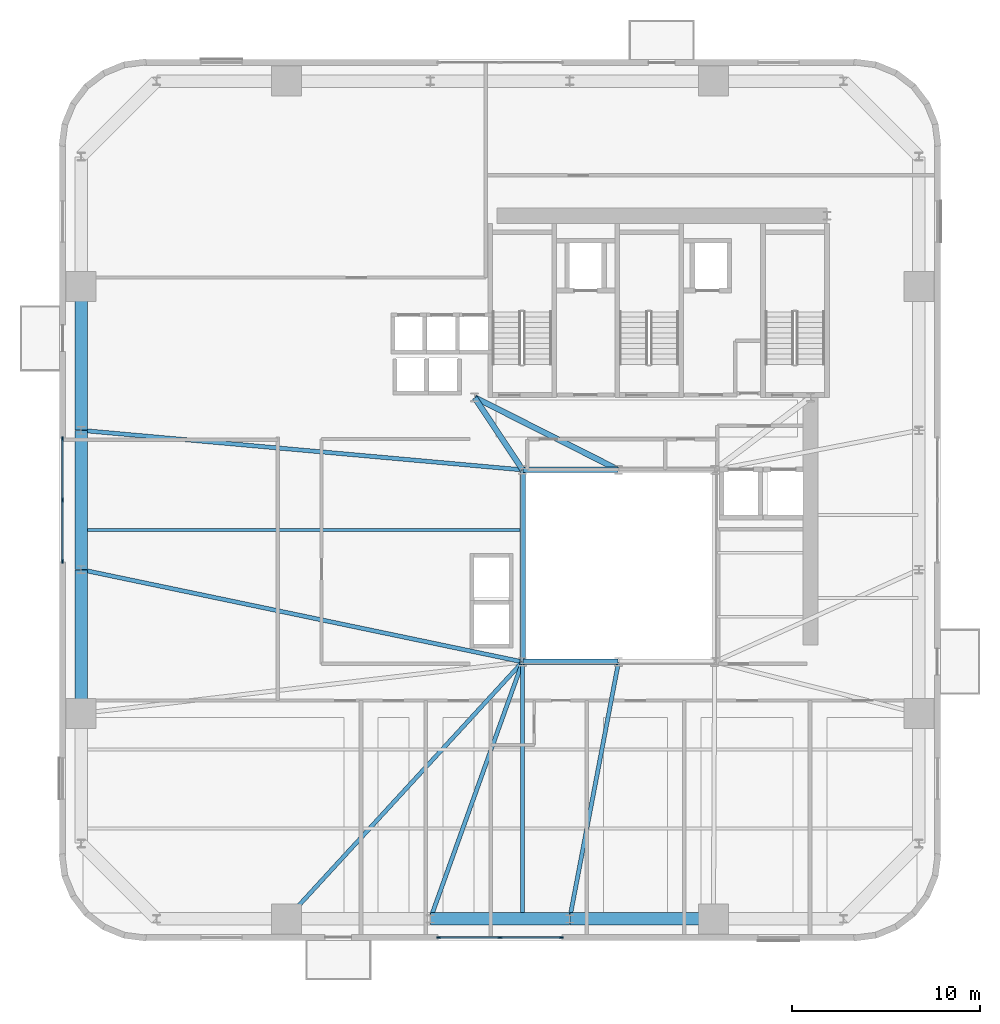
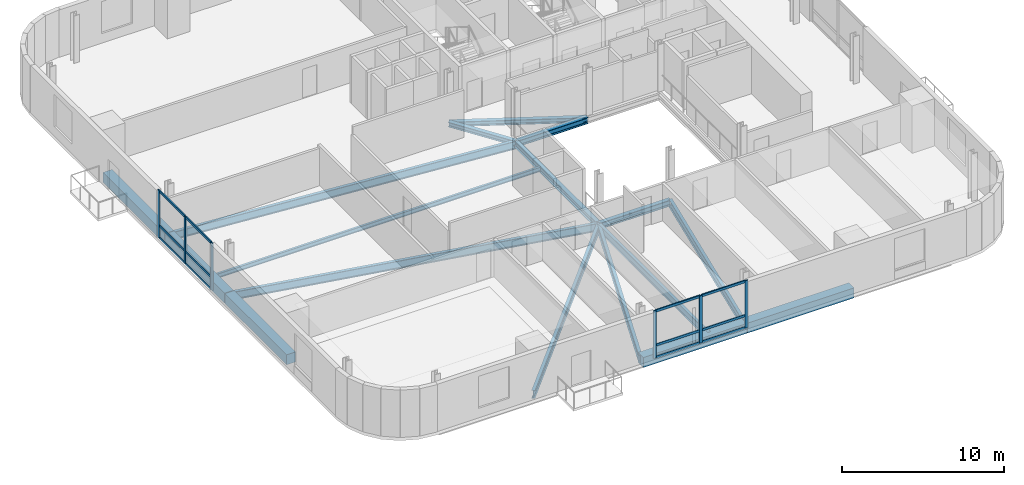
# One storey, part 2 of 14: 18 members, 17 beams, 2 elements without a shape of their own.
"""IFC4 building model written with IfcOpenShell, lengths in metres."""

from ifc_helpers import new_model, si_unit, direction, frame, origin, origin_2d, place, context, subcontext, project, spatial, rectangle, i_section, extrude, source, transform, mapped, material, material_profile, profile_set, type_object, element, aggregate, save


model = new_model("IFC4")

# Units and contexts
model_context = context("Model", 3, precision=1e-05, world=origin(), true_north=direction((0.0, 1.0)))
body_context = subcontext(model_context, "Body", "Model", "MODEL_VIEW")
ifc_project = project(units=[si_unit("LENGTHUNIT", "METRE"), si_unit("AREAUNIT", "SQUARE_METRE"), si_unit("VOLUMEUNIT", "CUBIC_METRE"), si_unit("PLANEANGLEUNIT", "RADIAN"), si_unit("MASSUNIT", "GRAM", prefix="KILO")], contexts=[model_context])

# Site, building, storey
site_placement = place(None, origin())
site = spatial("IfcSite", under=ifc_project, at=site_placement, CompositionType="ELEMENT")
building_placement = place(site_placement, origin())
building = spatial("IfcBuilding", under=site, at=building_placement, Name="Vardaveli Station Tower", CompositionType="ELEMENT")
storey_placement = place(building_placement, frame((0.0, 0.0, 107.5)))
storey = spatial("IfcBuildingStorey", under=building, at=storey_placement, Name="L27", CompositionType="ELEMENT", Elevation=107.5)

# Beams
ifc_material_1 = material(Name="Structural steel S355J2", Category="steel")
ifc_material_profile_1 = material_profile(ifc_material_1, i_section(OverallWidth=0.300048828125, OverallDepth=0.449951171875, WebThickness=0.013916015625, FlangeThickness=0.02587890625, FilletRadius=0.027099609375, at=origin_2d()), Name="HEB 450")
ifc_profile_set_1 = profile_set([ifc_material_profile_1], Name="Structural steel S355J2")
beam_type_1 = type_object("IfcBeamType", Name="BM-HEB450", PredefinedType="BEAM", material=ifc_profile_set_1)
shared_shape_1 = source(origin(), body_context, "Body", "SweptSolid", [
    extrude(i_section(OverallWidth=0.300048828125, OverallDepth=0.449951171875, WebThickness=0.013916015625, FlangeThickness=0.02587890625, FilletRadius=0.027099609375, at=origin_2d()), origin(), (0.0, 0.0, 1.0), 5.06005859375),
])
for number, where, z_axis, x_axis, name in (
    (1, (31.219970703125, 16.60009765625, -0.465087890625), (1.0, 0.0, 0.0), (0.0, 1.0, 0.0), "ABM-L27-01"),
    (2, (36.280029296875, 26.800048828125, -0.465087890625), (-1.0, 0.0, 0.0), (0.0, -1.0, 0.0), "ABM-L27-05"),
):
    element("IfcBeam", number, at=place(storey_placement, frame(where, z_axis=z_axis, x_axis=x_axis)), inside=storey, type_object=beam_type_1, Name=name, PredefinedType="BEAM", context=body_context, shape_type="MappedRepresentation", body=[
        mapped(shared_shape_1, transform((0.0, 0.0, 0.0), scale=1.0)),
    ])
shared_shape_2 = source(origin(), body_context, "Body", "SweptSolid", [
    extrude(i_section(OverallWidth=0.300048828125, OverallDepth=0.449951171875, WebThickness=0.013916015625, FlangeThickness=0.02587890625, FilletRadius=0.027099609375, at=origin_2d()), origin(), (0.0, 0.0, 1.0), 10.159912109375),
])
beam_1_placement = place(storey_placement, frame((31.199951171875, 26.780029296875, -0.465087890625), z_axis=(0.0, -1.0, 0.0), x_axis=(1.0, 0.0, 0.0)))
element("IfcBeam", 3, at=beam_1_placement, inside=storey, type_object=beam_type_1, Name="ABM-L27-06", PredefinedType="BEAM", context=body_context, shape_type="MappedRepresentation", body=[
    mapped(shared_shape_2, transform((0.0, 0.0, 0.0), scale=1.0)),
])
ifc_material_profile_2 = material_profile(ifc_material_1, i_section(OverallWidth=0.300048828125, OverallDepth=0.360107421875, WebThickness=0.012451171875, FlangeThickness=0.0224609375, FilletRadius=0.027099609375, at=origin_2d()), Name="HEB 360")
ifc_profile_set_2 = profile_set([ifc_material_profile_2], Name="Structural steel S355J2")
beam_type_2 = type_object("IfcBeamType", Name="BM-HEB360", PredefinedType="BEAM", material=ifc_profile_set_2)
shared_shape_3 = source(origin(), body_context, "Body", "SweptSolid", [
    extrude(i_section(OverallWidth=0.300048828125, OverallDepth=0.360107421875, WebThickness=0.012451171875, FlangeThickness=0.0224609375, FilletRadius=0.027099609375, at=origin_2d()), origin(), (0.0, 0.0, 1.0), 4.577880859375),
])
beam_2_placement = place(storey_placement, frame((31.18896484375, 26.816650390625, -0.419921875), z_axis=(-0.55218702139, 0.833720272879, 0.0), x_axis=(-0.833720272879, -0.55218702139, 0.0)))
element("IfcBeam", 4, at=beam_2_placement, inside=storey, type_object=beam_type_2, Name="CBM-L27-01", PredefinedType="BEAM", context=body_context, shape_type="MappedRepresentation", body=[
    mapped(shared_shape_3, transform((0.0, 0.0, 0.0), scale=1.0)),
])
shared_shape_4 = source(origin(), body_context, "Body", "SweptSolid", [
    extrude(i_section(OverallWidth=0.300048828125, OverallDepth=0.360107421875, WebThickness=0.012451171875, FlangeThickness=0.0224609375, FilletRadius=0.027099609375, at=origin_2d()), origin(), (0.0, 0.0, 1.0), 8.524169921875),
])
beam_3_placement = place(storey_placement, frame((28.66796875, 30.64111328125, -0.419921875), z_axis=(0.893255584708, -0.449549174605, 0.0), x_axis=(0.449549174605, 0.893255584708, 0.0)))
element("IfcBeam", 5, at=beam_3_placement, inside=storey, type_object=beam_type_2, Name="CBM-L27-03", PredefinedType="BEAM", context=body_context, shape_type="MappedRepresentation", body=[
    mapped(shared_shape_4, transform((0.0, 0.0, 0.0), scale=1.0)),
])
ifc_material_2 = material(Name="Precast concrete C45/55", Category="concrete")
ifc_material_profile_3 = material_profile(ifc_material_2, rectangle(XDim=0.64990234375, YDim=0.75, at=origin_2d()), Name="LPB 650x750")
ifc_profile_set_3 = profile_set([ifc_material_profile_3], Name="Precast concrete C45/55")
beam_type_3 = type_object("IfcBeamType", Name="BM-LPB-750", PredefinedType="BEAM", material=ifc_profile_set_3)
shared_shape_5 = source(origin(), body_context, "Body", "SweptSolid", [
    extrude(rectangle(XDim=0.64990234375, YDim=0.75, at=origin_2d()), origin(), (0.0, 0.0, 1.0), 7.60009765625),
])
for number, where, z_axis, x_axis, name in (
    (6, (33.719970703125, 2.949951171875, -0.614990234375), (1.0, 0.0, 0.0), (0.0, 1.0, 0.0), "RBM-L27-03"),
    (7, (7.75, 36.52001953125, -0.614990234375), (0.0, -1.0, 0.0), (1.0, 0.0, 0.0), "RBM-L27-19"),
    (8, (7.75, 21.47998046875, -0.614990234375), (0.0, -1.0, 0.0), (1.0, 0.0, 0.0), "RBM-L27-21"),
):
    element("IfcBeam", number, at=place(storey_placement, frame(where, z_axis=z_axis, x_axis=x_axis)), inside=storey, type_object=beam_type_3, Name=name, PredefinedType="BEAM", context=body_context, shape_type="MappedRepresentation", body=[
        mapped(shared_shape_5, transform((0.0, 0.0, 0.0), scale=1.0)),
    ])
shared_shape_6 = source(origin(), body_context, "Body", "SweptSolid", [
    extrude(rectangle(XDim=0.64990234375, YDim=0.75, at=origin_2d()), origin(), (0.0, 0.0, 1.0), 7.35986328125),
])
for number, where, z_axis, x_axis, name in (
    (9, (26.320068359375, 2.949951171875, -0.614990234375), (1.0, 0.0, 0.0), (0.0, 1.0, 0.0), "RBM-L27-02"),
    (10, (7.75, 28.8798828125, -0.614990234375), (0.0, -1.0, 0.0), (1.0, 0.0, 0.0), "RBM-L27-20"),
):
    element("IfcBeam", number, at=place(storey_placement, frame(where, z_axis=z_axis, x_axis=x_axis)), inside=storey, type_object=beam_type_3, Name=name, PredefinedType="BEAM", context=body_context, shape_type="MappedRepresentation", body=[
        mapped(shared_shape_6, transform((0.0, 0.0, 0.0), scale=1.0)),
    ])
ifc_material_profile_4 = material_profile(ifc_material_1, i_section(OverallWidth=0.2099609375, OverallDepth=0.550048828125, WebThickness=0.010986328125, FlangeThickness=0.01708984375, FilletRadius=0.02392578125, at=origin_2d()), Name="IPE 550")
ifc_profile_set_4 = profile_set([ifc_material_profile_4], Name="Structural steel S355J2")
beam_type_4 = type_object("IfcBeamType", Name="BM-IPE550", PredefinedType="BEAM", material=ifc_profile_set_4)
shared_shape_7 = source(origin(), body_context, "Body", "SweptSolid", [
    extrude(i_section(OverallWidth=0.2099609375, OverallDepth=0.550048828125, WebThickness=0.010986328125, FlangeThickness=0.01708984375, FilletRadius=0.02392578125, at=origin_2d()), origin(), (0.0, 0.0, 1.0), 13.469970703125),
])
beam_4_placement = place(storey_placement, frame((31.199951171875, 2.989990234375, -0.514892578125), z_axis=(0.0, 1.0, 0.0), x_axis=(-1.0, 0.0, 0.0)))
element("IfcBeam", 11, at=beam_4_placement, inside=storey, type_object=beam_type_4, Name="NSM-L27-S1", PredefinedType="BEAM", context=body_context, shape_type="MappedRepresentation", body=[
    mapped(shared_shape_7, transform((0.0, 0.0, 0.0), scale=1.0)),
])
ifc_material_profile_5 = material_profile(ifc_material_1, i_section(OverallWidth=0.159912109375, OverallDepth=0.330078125, WebThickness=0.007568359375, FlangeThickness=0.011474609375, FilletRadius=0.01806640625, at=origin_2d()), Name="IPE 330")
ifc_profile_set_5 = profile_set([ifc_material_profile_5], Name="Structural steel S355J2")
beam_type_5 = type_object("IfcBeamType", Name="BM-IPE330", PredefinedType="JOIST", material=ifc_profile_set_5)
shared_shape_8 = source(origin(), body_context, "Body", "SweptSolid", [
    extrude(i_section(OverallWidth=0.159912109375, OverallDepth=0.330078125, WebThickness=0.007568359375, FlangeThickness=0.011474609375, FilletRadius=0.01806640625, at=origin_2d()), origin(), (0.0, 0.0, 1.0), 23.2978515625),
])
beam_5_placement = place(storey_placement, frame((7.7900390625, 23.60009765625, -0.405029296875), z_axis=(1.0, 0.0, 0.0), x_axis=(0.0, 1.0, 0.0)))
element("IfcBeam", 12, at=beam_5_placement, inside=storey, type_object=beam_type_5, Name="SJ-L27-W06", PredefinedType="JOIST", context=body_context, shape_type="MappedRepresentation", body=[
    mapped(shared_shape_8, transform((0.0, 0.0, 0.0), scale=1.0)),
])
ifc_material_profile_6 = material_profile(ifc_material_1, i_section(OverallWidth=0.219970703125, OverallDepth=0.60009765625, WebThickness=0.011962890625, FlangeThickness=0.01904296875, FilletRadius=0.02392578125, at=origin_2d()), Name="IPE 600")
ifc_profile_set_6 = profile_set([ifc_material_profile_6], Name="Structural steel S355J2")
beam_type_6 = type_object("IfcBeamType", Name="BM-IPE600", PredefinedType="BEAM", material=ifc_profile_set_6)
shared_shape_9 = source(origin(), body_context, "Body", "SweptSolid", [
    extrude(i_section(OverallWidth=0.219970703125, OverallDepth=0.60009765625, WebThickness=0.011962890625, FlangeThickness=0.01904296875, FilletRadius=0.02392578125, at=origin_2d()), origin(), (0.0, 0.0, 1.0), 18.49560546875),
])
beam_6_placement = place(storey_placement, frame((18.673583984375, 2.96484375, -0.5400390625), z_axis=(0.676535341891, 0.736410165039, 0.0), x_axis=(-0.736410165039, 0.676535341891, 0.0)))
element("IfcBeam", 13, at=beam_6_placement, inside=storey, type_object=beam_type_6, Name="GBM-L27-01", PredefinedType="BEAM", context=body_context, shape_type="MappedRepresentation", body=[
    mapped(shared_shape_9, transform((0.0, 0.0, 0.0), scale=1.0)),
])
shared_shape_10 = source(origin(), body_context, "Body", "SweptSolid", [
    extrude(i_section(OverallWidth=0.219970703125, OverallDepth=0.60009765625, WebThickness=0.011962890625, FlangeThickness=0.01904296875, FilletRadius=0.02392578125, at=origin_2d()), origin(), (0.0, 0.0, 1.0), 14.462890625),
])
beam_7_placement = place(storey_placement, frame((26.306640625, 2.96875, -0.5400390625), z_axis=(0.337880090533, 0.941189165057, 0.0), x_axis=(-0.941189165057, 0.337880090533, 0.0)))
element("IfcBeam", 14, at=beam_7_placement, inside=storey, type_object=beam_type_6, Name="GBM-L27-02", PredefinedType="BEAM", context=body_context, shape_type="MappedRepresentation", body=[
    mapped(shared_shape_10, transform((0.0, 0.0, 0.0), scale=1.0)),
])
shared_shape_11 = source(origin(), body_context, "Body", "SweptSolid", [
    extrude(i_section(OverallWidth=0.219970703125, OverallDepth=0.60009765625, WebThickness=0.011962890625, FlangeThickness=0.01904296875, FilletRadius=0.02392578125, at=origin_2d()), origin(), (0.0, 0.0, 1.0), 13.855224609375),
])
beam_8_placement = place(storey_placement, frame((33.703857421875, 2.9697265625, -0.5400390625), z_axis=(0.187097533125, 0.982341342456, 0.0), x_axis=(-0.982341342456, 0.187097533125, 0.0)))
element("IfcBeam", 15, at=beam_8_placement, inside=storey, type_object=beam_type_6, Name="GBM-L27-03", PredefinedType="BEAM", context=body_context, shape_type="MappedRepresentation", body=[
    mapped(shared_shape_11, transform((0.0, 0.0, 0.0), scale=1.0)),
])
shared_shape_12 = source(origin(), body_context, "Body", "SweptSolid", [
    extrude(i_section(OverallWidth=0.219970703125, OverallDepth=0.60009765625, WebThickness=0.011962890625, FlangeThickness=0.01904296875, FilletRadius=0.02392578125, at=origin_2d()), origin(), (0.0, 0.0, 1.0), 23.50390625),
])
beam_9_placement = place(storey_placement, frame((7.77001953125, 28.898193359375, -0.5400390625), z_axis=(0.996014142198, -0.08919545135, 0.0), x_axis=(0.08919545135, 0.996014142198, 0.0)))
element("IfcBeam", 16, at=beam_9_placement, inside=storey, type_object=beam_type_6, Name="GBM-L27-08", PredefinedType="BEAM", context=body_context, shape_type="MappedRepresentation", body=[
    mapped(shared_shape_12, transform((0.0, 0.0, 0.0), scale=1.0)),
])
shared_shape_13 = source(origin(), body_context, "Body", "SweptSolid", [
    extrude(i_section(OverallWidth=0.219970703125, OverallDepth=0.60009765625, WebThickness=0.011962890625, FlangeThickness=0.01904296875, FilletRadius=0.02392578125, at=origin_2d()), origin(), (0.0, 0.0, 1.0), 23.91650390625),
])
beam_10_placement = place(storey_placement, frame((7.76953125, 21.495849609375, -0.5400390625), z_axis=(0.978858547354, -0.204538368703, 0.0), x_axis=(0.204538368703, 0.978858547354, 0.0)))
element("IfcBeam", 17, at=beam_10_placement, inside=storey, type_object=beam_type_6, Name="GBM-L27-09", PredefinedType="BEAM", context=body_context, shape_type="MappedRepresentation", body=[
    mapped(shared_shape_13, transform((0.0, 0.0, 0.0), scale=1.0)),
])

# Curtain wall, members
ifc_material_3 = material(Name="Travertine stone and solar-control glass", Category="masonry")
curtain_wall_type = type_object("IfcCurtainWallType", Name="CW-SYS-2", PredefinedType="NOTDEFINED", material=ifc_material_3)
curtain_wall_1_placement = place(storey_placement, origin())
curtain_wall_1 = element("IfcCurtainWall", 18, at=curtain_wall_1_placement, inside=storey, type_object=curtain_wall_type, Name="CW-L27-S", PredefinedType="NOTDEFINED")
ifc_material_4 = material(Name="Anodised aluminium alloy 6063-T6", Category="aluminium")
ifc_material_profile_7 = material_profile(ifc_material_4, rectangle(XDim=0.0849609375, YDim=0.179931640625, at=origin_2d()), Name="CWT 85x180")
ifc_profile_set_7 = profile_set([ifc_material_profile_7], Name="Anodised aluminium alloy 6063-T6")
member_type_1 = type_object("IfcMemberType", Name="CW-SYS-2-TRAN", PredefinedType="NOTDEFINED", material=ifc_profile_set_7)
shared_shape_14 = source(origin(), body_context, "Body", "SweptSolid", [
    extrude(rectangle(XDim=0.0849609375, YDim=0.179931640625, at=origin_2d()), origin(), (0.0, 0.0, 1.0), 3.172607421875),
])
member_1_placement = place(storey_placement, frame((26.784912109375, 1.9599609375, 0.04248046875), z_axis=(1.0, 0.0, 0.0), x_axis=(0.0, 1.0, 0.0)))
member_1 = element("IfcMember", 19, at=member_1_placement, type_object=member_type_1, Name="CW-2 transom 1.1", ObjectType="TRANSOM", PredefinedType="USERDEFINED", context=body_context, shape_type="MappedRepresentation", body=[
    mapped(shared_shape_14, transform((0.0, 0.0, 0.0), scale=1.0)),
])
member_2_placement = place(storey_placement, frame((26.784912109375, 1.9599609375, 0.949951171875), z_axis=(1.0, 0.0, 0.0), x_axis=(0.0, 1.0, 0.0)))
member_2 = element("IfcMember", 20, at=member_2_placement, type_object=member_type_1, Name="CW-2 transom 1.2", ObjectType="TRANSOM", PredefinedType="USERDEFINED", context=body_context, shape_type="MappedRepresentation", body=[
    mapped(shared_shape_14, transform((0.0, 0.0, 0.0), scale=1.0)),
])
member_3_placement = place(storey_placement, frame((26.784912109375, 1.9599609375, 3.517578125), z_axis=(1.0, 0.0, 0.0), x_axis=(0.0, 1.0, 0.0)))
member_3 = element("IfcMember", 21, at=member_3_placement, type_object=member_type_1, Name="CW-2 transom 1.3", ObjectType="TRANSOM", PredefinedType="USERDEFINED", context=body_context, shape_type="MappedRepresentation", body=[
    mapped(shared_shape_14, transform((0.0, 0.0, 0.0), scale=1.0)),
])
member_4_placement = place(storey_placement, frame((30.04248046875, 1.9599609375, 0.04248046875), z_axis=(1.0, 0.0, 0.0), x_axis=(0.0, 1.0, 0.0)))
member_4 = element("IfcMember", 22, at=member_4_placement, type_object=member_type_1, Name="CW-2 transom 2.1", ObjectType="TRANSOM", PredefinedType="USERDEFINED", context=body_context, shape_type="MappedRepresentation", body=[
    mapped(shared_shape_14, transform((0.0, 0.0, 0.0), scale=1.0)),
])
member_5_placement = place(storey_placement, frame((30.04248046875, 1.9599609375, 0.949951171875), z_axis=(1.0, 0.0, 0.0), x_axis=(0.0, 1.0, 0.0)))
member_5 = element("IfcMember", 23, at=member_5_placement, type_object=member_type_1, Name="CW-2 transom 2.2", ObjectType="TRANSOM", PredefinedType="USERDEFINED", context=body_context, shape_type="MappedRepresentation", body=[
    mapped(shared_shape_14, transform((0.0, 0.0, 0.0), scale=1.0)),
])
member_6_placement = place(storey_placement, frame((30.04248046875, 1.9599609375, 3.517578125), z_axis=(1.0, 0.0, 0.0), x_axis=(0.0, 1.0, 0.0)))
member_6 = element("IfcMember", 24, at=member_6_placement, type_object=member_type_1, Name="CW-2 transom 2.3", ObjectType="TRANSOM", PredefinedType="USERDEFINED", context=body_context, shape_type="MappedRepresentation", body=[
    mapped(shared_shape_14, transform((0.0, 0.0, 0.0), scale=1.0)),
])

curtain_wall_2_placement = place(storey_placement, origin())
curtain_wall_2 = element("IfcCurtainWall", 25, at=curtain_wall_2_placement, inside=storey, type_object=curtain_wall_type, Name="CW-L27-W", PredefinedType="NOTDEFINED")
member_7_placement = place(storey_placement, frame((6.760009765625, 28.4150390625, 0.04248046875), z_axis=(0.0, -1.0, 0.0), x_axis=(1.0, 0.0, 0.0)))
member_7 = element("IfcMember", 26, at=member_7_placement, type_object=member_type_1, Name="CW-2 transom 1.1", ObjectType="TRANSOM", PredefinedType="USERDEFINED", context=body_context, shape_type="MappedRepresentation", body=[
    mapped(shared_shape_14, transform((0.0, 0.0, 0.0), scale=1.0)),
])
member_8_placement = place(storey_placement, frame((6.760009765625, 28.4150390625, 0.949951171875), z_axis=(0.0, -1.0, 0.0), x_axis=(1.0, 0.0, 0.0)))
member_8 = element("IfcMember", 27, at=member_8_placement, type_object=member_type_1, Name="CW-2 transom 1.2", ObjectType="TRANSOM", PredefinedType="USERDEFINED", context=body_context, shape_type="MappedRepresentation", body=[
    mapped(shared_shape_14, transform((0.0, 0.0, 0.0), scale=1.0)),
])
member_9_placement = place(storey_placement, frame((6.760009765625, 28.4150390625, 3.517578125), z_axis=(0.0, -1.0, 0.0), x_axis=(1.0, 0.0, 0.0)))
member_9 = element("IfcMember", 28, at=member_9_placement, type_object=member_type_1, Name="CW-2 transom 1.3", ObjectType="TRANSOM", PredefinedType="USERDEFINED", context=body_context, shape_type="MappedRepresentation", body=[
    mapped(shared_shape_14, transform((0.0, 0.0, 0.0), scale=1.0)),
])
shared_shape_15 = source(origin(), body_context, "Body", "SweptSolid", [
    extrude(rectangle(XDim=0.0849609375, YDim=0.179931640625, at=origin_2d()), origin(), (0.0, 0.0, 1.0), 3.17236328125),
])
member_10_placement = place(storey_placement, frame((6.760009765625, 25.157470703125, 0.04248046875), z_axis=(0.0, -1.0, 0.0), x_axis=(1.0, 0.0, 0.0)))
member_10 = element("IfcMember", 29, at=member_10_placement, type_object=member_type_1, Name="CW-2 transom 2.1", ObjectType="TRANSOM", PredefinedType="USERDEFINED", context=body_context, shape_type="MappedRepresentation", body=[
    mapped(shared_shape_15, transform((0.0, 0.0, 0.0), scale=1.0)),
])
member_11_placement = place(storey_placement, frame((6.760009765625, 25.157470703125, 0.949951171875), z_axis=(0.0, -1.0, 0.0), x_axis=(1.0, 0.0, 0.0)))
member_11 = element("IfcMember", 30, at=member_11_placement, type_object=member_type_1, Name="CW-2 transom 2.2", ObjectType="TRANSOM", PredefinedType="USERDEFINED", context=body_context, shape_type="MappedRepresentation", body=[
    mapped(shared_shape_15, transform((0.0, 0.0, 0.0), scale=1.0)),
])
member_12_placement = place(storey_placement, frame((6.760009765625, 25.157470703125, 3.517578125), z_axis=(0.0, -1.0, 0.0), x_axis=(1.0, 0.0, 0.0)))
member_12 = element("IfcMember", 31, at=member_12_placement, type_object=member_type_1, Name="CW-2 transom 2.3", ObjectType="TRANSOM", PredefinedType="USERDEFINED", context=body_context, shape_type="MappedRepresentation", body=[
    mapped(shared_shape_15, transform((0.0, 0.0, 0.0), scale=1.0)),
])

# Member
ifc_material_profile_8 = material_profile(ifc_material_4, rectangle(XDim=0.0849609375, YDim=0.219970703125, at=origin_2d()), Name="CWM 85x220")
ifc_profile_set_8 = profile_set([ifc_material_profile_8], Name="Anodised aluminium alloy 6063-T6")
member_type_2 = type_object("IfcMemberType", Name="CW-SYS-2-MULL", PredefinedType="MULLION", material=ifc_profile_set_8)
shared_shape_16 = source(origin(), body_context, "Body", "SweptSolid", [
    extrude(rectangle(XDim=0.0849609375, YDim=0.219970703125, at=origin_2d()), origin(), (0.0, 0.0, 1.0), 3.56005859375),
])
member_13_placement = place(storey_placement, frame((26.742431640625, 1.9599609375, 0.0), z_axis=(0.0, 0.0, 1.0), x_axis=(0.0, 1.0, 0.0)))
member_13 = element("IfcMember", 32, at=member_13_placement, type_object=member_type_2, Name="CW-2 mullion 1", PredefinedType="MULLION", context=body_context, shape_type="MappedRepresentation", body=[
    mapped(shared_shape_16, transform((0.0, 0.0, 0.0), scale=1.0)),
])

member_14_placement = place(storey_placement, frame((30.0, 1.9599609375, 0.0), z_axis=(0.0, 0.0, 1.0), x_axis=(0.0, 1.0, 0.0)))
member_14 = element("IfcMember", 33, at=member_14_placement, type_object=member_type_2, Name="CW-2 mullion 2", PredefinedType="MULLION", context=body_context, shape_type="MappedRepresentation", body=[
    mapped(shared_shape_16, transform((0.0, 0.0, 0.0), scale=1.0)),
])

member_15_placement = place(storey_placement, frame((33.257568359375, 1.9599609375, 0.0), z_axis=(0.0, 0.0, 1.0), x_axis=(0.0, 1.0, 0.0)))
member_15 = element("IfcMember", 34, at=member_15_placement, type_object=member_type_2, Name="CW-2 mullion 3", PredefinedType="MULLION", context=body_context, shape_type="MappedRepresentation", body=[
    mapped(shared_shape_16, transform((0.0, 0.0, 0.0), scale=1.0)),
])

aggregate(curtain_wall_1, [member_13, member_14, member_15, member_1, member_2, member_3, member_4, member_5, member_6])

member_16_placement = place(storey_placement, frame((6.760009765625, 28.45751953125, 0.0), z_axis=(0.0, 0.0, 1.0), x_axis=(1.0, 0.0, 0.0)))
member_16 = element("IfcMember", 35, at=member_16_placement, type_object=member_type_2, Name="CW-2 mullion 1", PredefinedType="MULLION", context=body_context, shape_type="MappedRepresentation", body=[
    mapped(shared_shape_16, transform((0.0, 0.0, 0.0), scale=1.0)),
])

member_17_placement = place(storey_placement, frame((6.760009765625, 25.199951171875, 0.0), z_axis=(0.0, 0.0, 1.0), x_axis=(1.0, 0.0, 0.0)))
member_17 = element("IfcMember", 36, at=member_17_placement, type_object=member_type_2, Name="CW-2 mullion 2", PredefinedType="MULLION", context=body_context, shape_type="MappedRepresentation", body=[
    mapped(shared_shape_16, transform((0.0, 0.0, 0.0), scale=1.0)),
])

member_18_placement = place(storey_placement, frame((6.760009765625, 21.9423828125, 0.0), z_axis=(0.0, 0.0, 1.0), x_axis=(1.0, 0.0, 0.0)))
member_18 = element("IfcMember", 37, at=member_18_placement, type_object=member_type_2, Name="CW-2 mullion 3", PredefinedType="MULLION", context=body_context, shape_type="MappedRepresentation", body=[
    mapped(shared_shape_16, transform((0.0, 0.0, 0.0), scale=1.0)),
])

aggregate(curtain_wall_2, [member_16, member_17, member_18, member_7, member_8, member_9, member_10, member_11, member_12])

save(model, "model.ifc")
